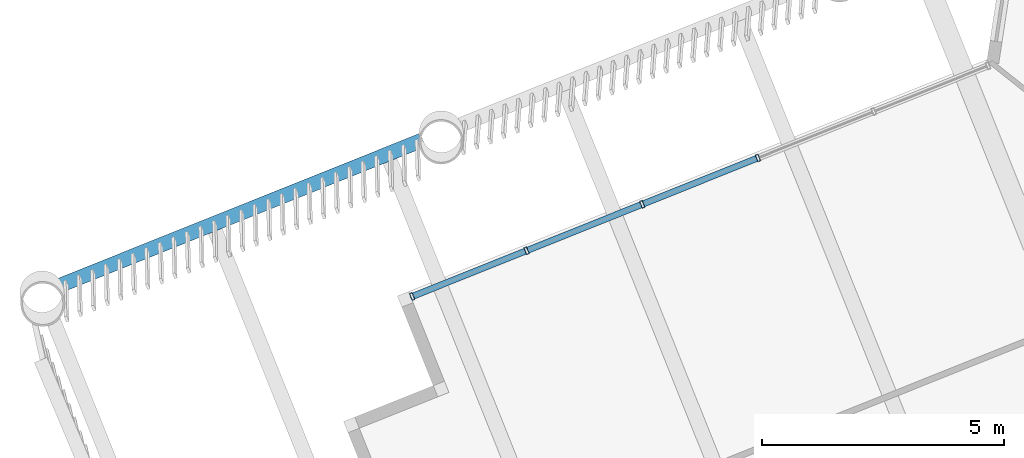
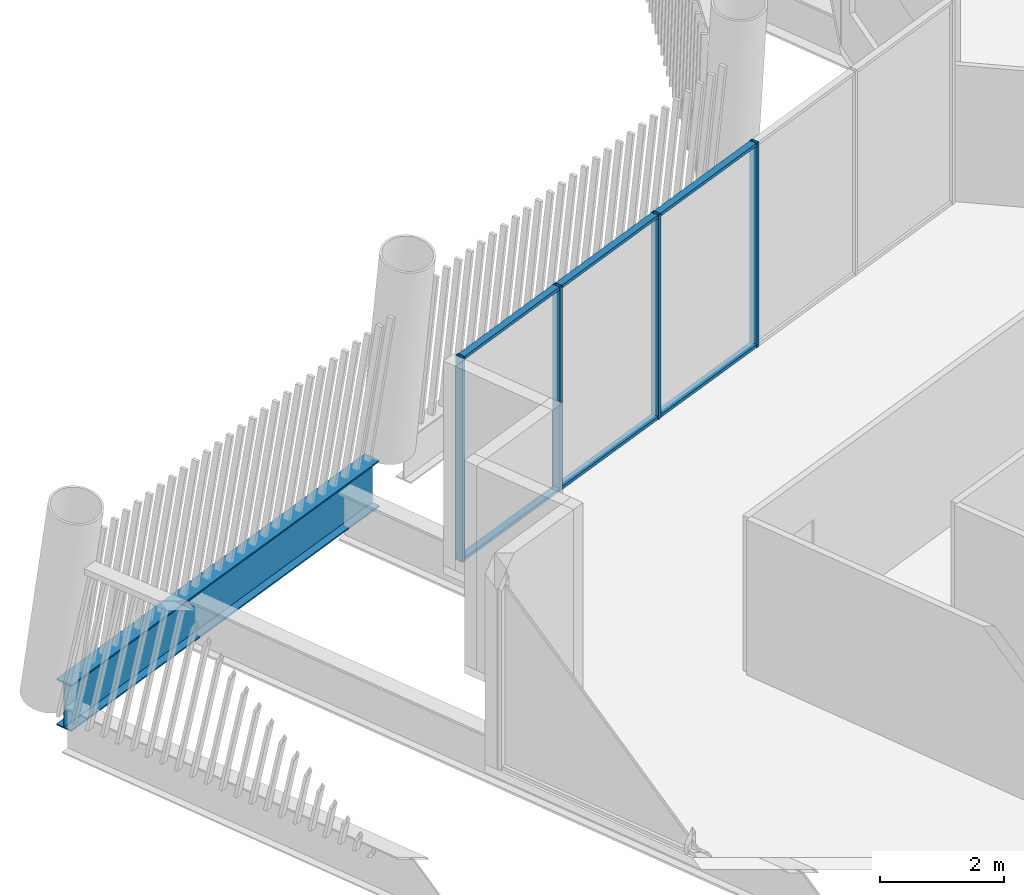
# One storey, part 11 of 27: 10 members, 1 beam, 1 element without a shape of its own.
"""IFC4 building model written with IfcOpenShell, lengths in metres."""

from ifc_helpers import new_model, si_unit, direction, frame, origin, origin_2d, place, context, subcontext, project, spatial, hollow_rectangle, i_section, extrude, material, layer, layer_set, material_profile, profile_set, type_object, element, aggregate, save


model = new_model("IFC4")

# Units and contexts
model_context = context("Model", 3, precision=1e-05, world=origin(), true_north=direction((0.0, 1.0)))
body_context = subcontext(model_context, "Body", "Model", "MODEL_VIEW")
ifc_project = project(units=[si_unit("LENGTHUNIT", "METRE"), si_unit("AREAUNIT", "SQUARE_METRE"), si_unit("VOLUMEUNIT", "CUBIC_METRE"), si_unit("PLANEANGLEUNIT", "RADIAN"), si_unit("MASSUNIT", "GRAM", prefix="KILO")], contexts=[model_context])

# Site, building, storey
site_placement = place(None, origin())
site = spatial("IfcSite", under=ifc_project, at=site_placement, CompositionType="ELEMENT")
building_placement = place(site_placement, origin())
building = spatial("IfcBuilding", under=site, at=building_placement, Name="Tarsis Ring Headquarters", CompositionType="ELEMENT")
storey_placement = place(building_placement, frame((0.0, 0.0, 373.39990234375)))
storey = spatial("IfcBuildingStorey", under=building, at=storey_placement, Name="L88", CompositionType="ELEMENT", Elevation=373.39990234375)

# Curtain wall, members
ifc_material_1 = material(Name="Aluminium curtain wall", Category="aluminium")
ifc_layer = layer(ifc_material_1, 0.14990234375)
ifc_layer_set = layer_set([ifc_layer], Name="Curtain wall tower unit")
curtain_wall_type = type_object("IfcCurtainWallType", Name="Curtain wall tower unit", PredefinedType="NOTDEFINED", material=ifc_layer_set)
curtain_wall_placement = place(storey_placement, origin())
curtain_wall = element("IfcCurtainWall", 1, at=curtain_wall_placement, inside=storey, type_object=curtain_wall_type, Name="Curtain wall L88-31", PredefinedType="NOTDEFINED")
ifc_material_2 = material(Name="Aluminium mullion", Category="aluminium")
ifc_material_profile_1 = material_profile(ifc_material_2, hollow_rectangle(XDim=0.14990234375, YDim=0.06005859375, WallThickness=0.0048828125, at=origin_2d()), Name="RHS 150x60x5")
ifc_profile_set_1 = profile_set([ifc_material_profile_1], Name="Aluminium mullion")
member_type_1 = type_object("IfcMemberType", Name="Curtain wall mullion tower unit RHS 150x60x5", PredefinedType="MULLION", material=ifc_profile_set_1)
member_1_placement = place(storey_placement, frame((-30.41650390625, 0.602783203125, 0.0), z_axis=(0.0, 0.0, 1.0), x_axis=(0.372015909999, -0.928226353164, 0.0)))
member_1 = element("IfcMember", 2, at=member_1_placement, type_object=member_type_1, Name="CW-T mullion 3", PredefinedType="MULLION", context=body_context, shape_type="SweptSolid", body=[
    extrude(hollow_rectangle(XDim=0.14990234375, YDim=0.06005859375, WallThickness=0.0048828125, at=origin_2d()), origin(), (0.0, 0.0, 1.0), 4.0400390625),
])
member_2_placement = place(storey_placement, frame((-32.811767578125, -0.357177734375, 0.0), z_axis=(0.0, 0.0, 1.0), x_axis=(0.372015909999, -0.928226353164, 0.0)))
member_2 = element("IfcMember", 3, at=member_2_placement, type_object=member_type_1, Name="CW-T mullion 4", PredefinedType="MULLION", context=body_context, shape_type="SweptSolid", body=[
    extrude(hollow_rectangle(XDim=0.14990234375, YDim=0.06005859375, WallThickness=0.0048828125, at=origin_2d()), origin(), (0.0, 0.0, 1.0), 4.0400390625),
])
member_3_placement = place(storey_placement, frame((-35.206787109375, -1.31689453125, 0.0), z_axis=(0.0, 0.0, 1.0), x_axis=(0.372015909999, -0.928226353164, 0.0)))
member_3 = element("IfcMember", 4, at=member_3_placement, type_object=member_type_1, Name="CW-T mullion 5", PredefinedType="MULLION", context=body_context, shape_type="SweptSolid", body=[
    extrude(hollow_rectangle(XDim=0.14990234375, YDim=0.06005859375, WallThickness=0.0048828125, at=origin_2d()), origin(), (0.0, 0.0, 1.0), 4.0400390625),
])
member_4_placement = place(storey_placement, frame((-37.573974609375, -2.265625, 0.0), z_axis=(0.0, 0.0, 1.0), x_axis=(0.372015909999, -0.928226353164, 0.0)))
member_4 = element("IfcMember", 5, at=member_4_placement, type_object=member_type_1, Name="CW-T mullion 6", PredefinedType="MULLION", context=body_context, shape_type="SweptSolid", body=[
    extrude(hollow_rectangle(XDim=0.14990234375, YDim=0.06005859375, WallThickness=0.0048828125, at=origin_2d()), origin(), (0.0, 0.0, 1.0), 4.0400390625),
])
ifc_material_3 = material(Name="Aluminium transom", Category="aluminium")
ifc_material_profile_2 = material_profile(ifc_material_3, hollow_rectangle(XDim=0.1298828125, YDim=0.06005859375, WallThickness=0.0048828125, at=origin_2d()), Name="RHS 130x60x5")
ifc_profile_set_2 = profile_set([ifc_material_profile_2], Name="Aluminium transom")
member_type_2 = type_object("IfcMemberType", Name="Curtain wall transom tower unit RHS 130x60x5", PredefinedType="USERDEFINED", material=ifc_profile_set_2)
member_5_placement = place(storey_placement, frame((-30.4443359375, 0.591552734375, 0.030029296875), z_axis=(-0.928235984201, -0.371991878452, 0.0), x_axis=(0.371991878452, -0.928235984201, 0.0)))
member_5 = element("IfcMember", 6, at=member_5_placement, type_object=member_type_2, Name="CW-T transom 3.1", ObjectType="TRANSOM", PredefinedType="USERDEFINED", context=body_context, shape_type="SweptSolid", body=[
    extrude(hollow_rectangle(XDim=0.1298828125, YDim=0.06005859375, WallThickness=0.0048828125, at=origin_2d()), origin(), (0.0, 0.0, 1.0), 2.520263671875),
])
member_6_placement = place(storey_placement, frame((-30.4443359375, 0.591552734375, 4.010009765625), z_axis=(-0.928235984201, -0.371991878452, 0.0), x_axis=(0.371991878452, -0.928235984201, 0.0)))
member_6 = element("IfcMember", 7, at=member_6_placement, type_object=member_type_2, Name="CW-T transom 3.2", ObjectType="TRANSOM", PredefinedType="USERDEFINED", context=body_context, shape_type="SweptSolid", body=[
    extrude(hollow_rectangle(XDim=0.1298828125, YDim=0.06005859375, WallThickness=0.0048828125, at=origin_2d()), origin(), (0.0, 0.0, 1.0), 2.520263671875),
])
member_7_placement = place(storey_placement, frame((-32.839599609375, -0.3681640625, 0.030029296875), z_axis=(-0.92820253181, -0.372075341754, 0.0), x_axis=(0.372075341754, -0.92820253181, 0.0)))
member_7 = element("IfcMember", 8, at=member_7_placement, type_object=member_type_2, Name="CW-T transom 4.1", ObjectType="TRANSOM", PredefinedType="USERDEFINED", context=body_context, shape_type="SweptSolid", body=[
    extrude(hollow_rectangle(XDim=0.1298828125, YDim=0.06005859375, WallThickness=0.0048828125, at=origin_2d()), origin(), (0.0, 0.0, 1.0), 2.520263671875),
])
member_8_placement = place(storey_placement, frame((-32.839599609375, -0.3681640625, 4.010009765625), z_axis=(-0.92820253181, -0.372075341754, 0.0), x_axis=(0.372075341754, -0.92820253181, 0.0)))
member_8 = element("IfcMember", 9, at=member_8_placement, type_object=member_type_2, Name="CW-T transom 4.2", ObjectType="TRANSOM", PredefinedType="USERDEFINED", context=body_context, shape_type="SweptSolid", body=[
    extrude(hollow_rectangle(XDim=0.1298828125, YDim=0.06005859375, WallThickness=0.0048828125, at=origin_2d()), origin(), (0.0, 0.0, 1.0), 2.520263671875),
])
member_9_placement = place(storey_placement, frame((-35.234619140625, -1.328125, 0.030029296875), z_axis=(-0.928212771581, -0.37204979596, 0.0), x_axis=(0.37204979596, -0.928212771581, 0.0)))
member_9 = element("IfcMember", 10, at=member_9_placement, type_object=member_type_2, Name="CW-T transom 5.1", ObjectType="TRANSOM", PredefinedType="USERDEFINED", context=body_context, shape_type="SweptSolid", body=[
    extrude(hollow_rectangle(XDim=0.1298828125, YDim=0.06005859375, WallThickness=0.0048828125, at=origin_2d()), origin(), (0.0, 0.0, 1.0), 2.490234375),
])
member_10_placement = place(storey_placement, frame((-35.234619140625, -1.328125, 4.010009765625), z_axis=(-0.928212771581, -0.37204979596, 0.0), x_axis=(0.37204979596, -0.928212771581, 0.0)))
member_10 = element("IfcMember", 11, at=member_10_placement, type_object=member_type_2, Name="CW-T transom 5.2", ObjectType="TRANSOM", PredefinedType="USERDEFINED", context=body_context, shape_type="SweptSolid", body=[
    extrude(hollow_rectangle(XDim=0.1298828125, YDim=0.06005859375, WallThickness=0.0048828125, at=origin_2d()), origin(), (0.0, 0.0, 1.0), 2.490234375),
])
aggregate(curtain_wall, [member_1, member_2, member_3, member_4, member_5, member_6, member_7, member_8, member_9, member_10])

# Beam
ifc_material_4 = material(Name="Structural steel S355", Category="steel")
ifc_material_profile_3 = material_profile(ifc_material_4, i_section(OverallWidth=0.3046875, OverallDepth=0.91943359375, WebThickness=0.017333984375, FlangeThickness=0.02783203125, at=origin_2d()), Name="W36x170")
ifc_profile_set_3 = profile_set([ifc_material_profile_3], Name="Structural steel S355")
beam_type = type_object("IfcBeamType", Name="XG Ring girder W36x170", PredefinedType="BEAM", material=ifc_profile_set_3)
beam_placement = place(storey_placement, frame((-37.3525390625, 0.97412109375, -0.459716796875), z_axis=(-0.928228490036, -0.37201057819, 0.0), x_axis=(0.37201057819, -0.928228490036, 0.0)))
element("IfcBeam", 12, at=beam_placement, inside=storey, type_object=beam_type, Name="Ring girder XG4", PredefinedType="BEAM", context=body_context, shape_type="SweptSolid", body=[
    extrude(i_section(OverallWidth=0.3046875, OverallDepth=0.91943359375, WebThickness=0.017333984375, FlangeThickness=0.02783203125, at=origin_2d()), origin(), (0.0, 0.0, 1.0), 8.079345703125),
])

save(model, "model.ifc")
